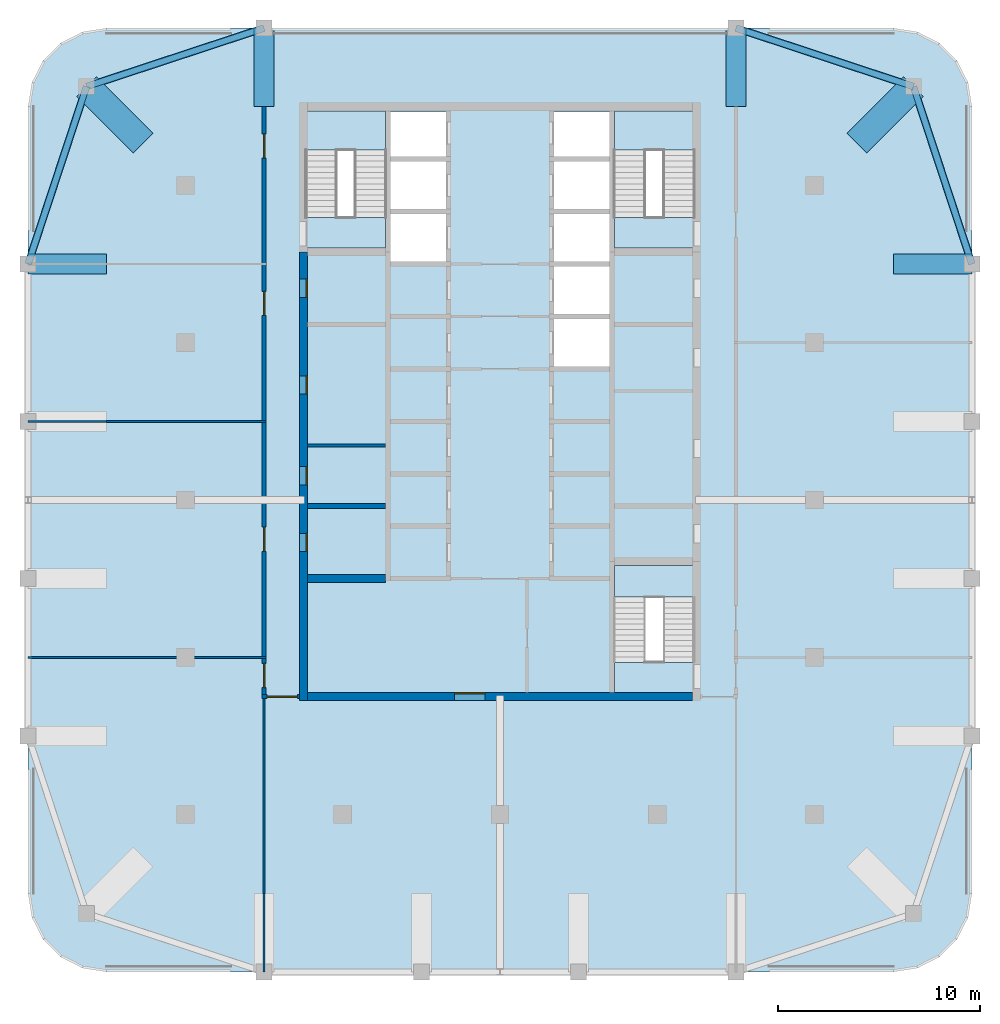
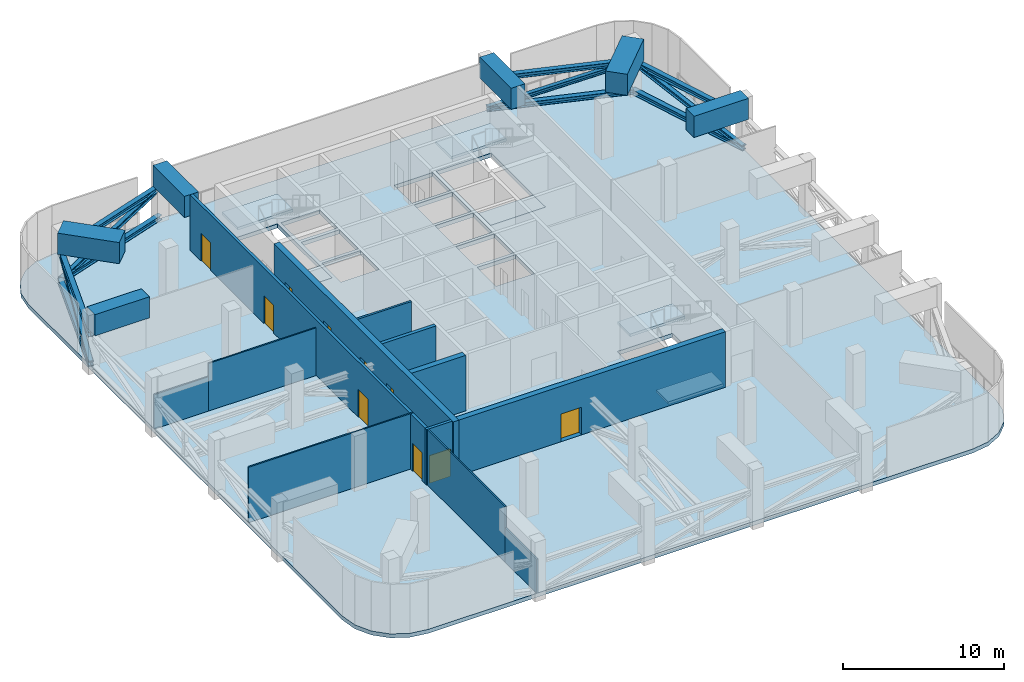
# One storey, part 5 of 13: 12 members, 12 walls, 10 doors, 7 slabs, 6 beams, 10 openings, 3 elements without a shape of their own.
"""IFC4 building model written with IfcOpenShell, lengths in metres."""

from ifc_helpers import new_model, si_unit, direction, frame, frame_2d, origin, origin_2d, place, context, subcontext, project, spatial, polyline, rectangle, i_section, outline, extrude, material, layer, layer_set, material_profile, profile_set, type_object, element, fill, aggregate, save


model = new_model("IFC4")

# Units and contexts
model_context = context("Model", 3, precision=1e-05, world=origin(), true_north=direction((0.0, 1.0)))
body_context = subcontext(model_context, "Body", "Model", "MODEL_VIEW")
ifc_project = project(units=[si_unit("LENGTHUNIT", "METRE"), si_unit("AREAUNIT", "SQUARE_METRE"), si_unit("VOLUMEUNIT", "CUBIC_METRE"), si_unit("PLANEANGLEUNIT", "RADIAN"), si_unit("MASSUNIT", "GRAM", prefix="KILO")], contexts=[model_context])

# Site, building, storey
site_placement = place(None, origin())
site = spatial("IfcSite", under=ifc_project, at=site_placement, CompositionType="ELEMENT")
building_placement = place(site_placement, origin())
building = spatial("IfcBuilding", under=site, at=building_placement, Name="Ludao Terraces", CompositionType="ELEMENT")
storey_placement = place(building_placement, frame((0.0, 0.0, 241.5)))
storey = spatial("IfcBuildingStorey", under=building, at=storey_placement, Name="L66", CompositionType="ELEMENT", Elevation=241.5)

# Members
ifc_material_1 = material(Name="Steel Q355", Category="steel")
ifc_material_profile_1 = material_profile(ifc_material_1, i_section(OverallWidth=0.35009765625, OverallDepth=0.35009765625, WebThickness=0.011962890625, FlangeThickness=0.01904296875, at=origin_2d()), Name="HW 350X350X12X19")
ifc_profile_set_1 = profile_set([ifc_material_profile_1], Name="Steel Q355")
member_type_1 = type_object("IfcMemberType", Name="Belt truss chord HW 350x350x12x19 Q355", PredefinedType="CHORD", material=ifc_profile_set_1)
for number, where, z_axis, x_axis, name in (
    (1, (64.5, 85.5, 2.425048828125), (0.949760691408, 0.312977042379, 0.0), (-0.312977042379, 0.949760691408, 0.0), "Truss chord L66 BT6T1"),
    (2, (64.5, 85.5, 0.175048828125), (0.949760691408, 0.312977042379, 0.0), (-0.312977042379, 0.949760691408, 0.0), "Truss chord L66 BT6B1"),
    (3, (96.699951171875, 88.39990234375, 2.425048828125), (0.949760691408, -0.312977042379, 0.0), (0.312977042379, 0.949760691408, 0.0), "Truss chord L66 BT7T1"),
    (4, (96.699951171875, 88.39990234375, 0.175048828125), (0.949760691408, -0.312977042379, 0.0), (0.312977042379, 0.949760691408, 0.0), "Truss chord L66 BT7B1"),
    (5, (61.60009765625, 76.699951171875, 2.425048828125), (0.312977042379, 0.949760691408, 0.0), (-0.949760691408, 0.312977042379, 0.0), "Truss chord L66 BT12T1"),
    (6, (61.60009765625, 76.699951171875, 0.175048828125), (0.312977042379, 0.949760691408, 0.0), (-0.949760691408, 0.312977042379, 0.0), "Truss chord L66 BT12B1"),
    (7, (108.39990234375, 76.699951171875, 2.425048828125), (-0.312977042379, 0.949760691408, 0.0), (-0.949760691408, -0.312977042379, 0.0), "Truss chord L66 BT17T1"),
    (8, (108.39990234375, 76.699951171875, 0.175048828125), (-0.312977042379, 0.949760691408, 0.0), (-0.949760691408, -0.312977042379, 0.0), "Truss chord L66 BT17B1"),
):
    element("IfcMember", number, at=place(storey_placement, frame(where, z_axis=z_axis, x_axis=x_axis)), inside=storey, type_object=member_type_1, Name=name, PredefinedType="CHORD", context=body_context, shape_type="SweptSolid", body=[
        extrude(i_section(OverallWidth=0.35009765625, OverallDepth=0.35009765625, WebThickness=0.011962890625, FlangeThickness=0.01904296875, at=origin_2d()), origin(), (0.0, 0.0, 1.0), 9.265625),
    ])
ifc_material_profile_2 = material_profile(ifc_material_1, i_section(OverallWidth=0.300048828125, OverallDepth=0.300048828125, WebThickness=0.010009765625, FlangeThickness=0.014892578125, at=origin_2d()), Name="HW 300X300X10X15")
ifc_profile_set_2 = profile_set([ifc_material_profile_2], Name="Steel Q355")
member_type_2 = type_object("IfcMemberType", Name="Belt truss diagonal HW 300x300x10x15 Q355", PredefinedType="BRACE", material=ifc_profile_set_2)
for number, where, z_axis, x_axis, name in (
    (9, (64.5, 85.5, 0.175048828125), (0.922938115412, 0.304138131082, 0.235977186063), (-0.312977042379, 0.949760691408, 0.0), "Truss diagonal L66 BT61"),
    (10, (96.699951171875, 88.39990234375, 0.175048828125), (0.922938115412, -0.304138131082, 0.235977186063), (0.312977042379, 0.949760691408, 0.0), "Truss diagonal L66 BT71"),
    (11, (61.60009765625, 76.699951171875, 0.175048828125), (0.304138131082, 0.922938115412, 0.235977186063), (-0.949760691408, 0.312977042379, 0.0), "Truss diagonal L66 BT121"),
    (12, (108.39990234375, 76.699951171875, 0.175048828125), (-0.304138131082, 0.922938115412, 0.235977186063), (-0.949760691408, -0.312977042379, 0.0), "Truss diagonal L66 BT171"),
):
    element("IfcMember", number, at=place(storey_placement, frame(where, z_axis=z_axis, x_axis=x_axis)), inside=storey, type_object=member_type_2, Name=name, PredefinedType="BRACE", context=body_context, shape_type="SweptSolid", body=[
        extrude(i_section(OverallWidth=0.300048828125, OverallDepth=0.300048828125, WebThickness=0.010009765625, FlangeThickness=0.014892578125, at=origin_2d()), origin(), (0.0, 0.0, 1.0), 9.534912109375),
    ])

# Beams
ifc_material_2 = material(Name="Concrete C60", Category="concrete")
ifc_material_profile_3 = material_profile(ifc_material_2, rectangle(XDim=1.0, YDim=1.60009765625, at=origin_2d()), Name="1000 X 1600")
ifc_profile_set_3 = profile_set([ifc_material_profile_3], Name="Concrete C60")
beam_type_1 = type_object("IfcBeamType", Name="RC beam 1000x1600 C60", PredefinedType="BEAM", material=ifc_profile_set_3)
for number, where, z_axis, x_axis, name in (
    (13, (61.60009765625, 76.699951171875, 3.39990234375), (1.0, 0.0, 0.0), (0.0, 1.0, 0.0), "Transfer girder L66 corbel 4"),
    (14, (73.300048828125, 88.39990234375, 3.39990234375), (0.0, -1.0, 0.0), (1.0, 0.0, 0.0), "Transfer girder L66 corbel 6"),
    (15, (96.699951171875, 88.39990234375, 3.39990234375), (0.0, -1.0, 0.0), (1.0, 0.0, 0.0), "Transfer girder L66 corbel 10"),
    (16, (108.39990234375, 76.699951171875, 3.39990234375), (-1.0, 0.0, 0.0), (0.0, -1.0, 0.0), "Transfer girder L66 corbel 14"),
):
    element("IfcBeam", number, at=place(storey_placement, frame(where, z_axis=z_axis, x_axis=x_axis)), inside=storey, type_object=beam_type_1, Name=name, PredefinedType="BEAM", context=body_context, shape_type="SweptSolid", body=[
        extrude(rectangle(XDim=1.0, YDim=1.60009765625, at=origin_2d()), origin(), (0.0, 0.0, 1.0), 3.89990234375),
    ])
ifc_material_profile_4 = material_profile(ifc_material_2, rectangle(XDim=1.39990234375, YDim=1.60009765625, at=origin_2d()), Name="1400 X 1600")
ifc_profile_set_4 = profile_set([ifc_material_profile_4], Name="Concrete C60")
beam_type_2 = type_object("IfcBeamType", Name="RC beam 1400x1600 C60", PredefinedType="BEAM", material=ifc_profile_set_4)
for number, where, z_axis, x_axis, name in (
    (17, (64.5, 85.5, 3.39990234375), (0.707106781187, -0.707106781187, 0.0), (0.707106781187, 0.707106781187, 0.0), "Transfer girder L66 corner NW"),
    (18, (105.5, 85.5, 3.39990234375), (-0.707106781187, -0.707106781187, 0.0), (0.707106781187, -0.707106781187, 0.0), "Transfer girder L66 corner NE"),
):
    element("IfcBeam", number, at=place(storey_placement, frame(where, z_axis=z_axis, x_axis=x_axis)), inside=storey, type_object=beam_type_2, Name=name, PredefinedType="BEAM", context=body_context, shape_type="SweptSolid", body=[
        extrude(rectangle(XDim=1.39990234375, YDim=1.60009765625, at=origin_2d()), origin(), (0.0, 0.0, 1.0), 3.9599609375),
    ])

# Slab
ifc_material_3 = material(Name="Concrete C40", Category="concrete")
ifc_layer_1 = layer(ifc_material_3, 0.300048828125)
ifc_layer_set_1 = layer_set([ifc_layer_1], Name="Floor slab 300 C40")
slab_type_1 = type_object("IfcSlabType", Name="Floor slab 300 C40", PredefinedType="FLOOR", material=ifc_layer_set_1)
slab_1_placement = place(storey_placement, frame((0.0, 0.0, -0.300048828125)))
element("IfcSlab", 19, at=slab_1_placement, inside=storey, type_object=slab_type_1, Name="Slab L66", PredefinedType="FLOOR", context=body_context, shape_type="SweptSolid", body=[
    extrude(outline(polyline([(104.5, 41.60009765625), (105.705078125, 41.790771484375), (106.79248046875, 42.3447265625), (107.6552734375, 43.20751953125), (108.209228515625, 44.294921875), (108.39990234375, 45.5), (108.39990234375, 84.5), (108.209228515625, 85.705078125), (107.6552734375, 86.79248046875), (106.79248046875, 87.6552734375), (105.705078125, 88.209228515625), (104.5, 88.39990234375), (65.5, 88.39990234375), (64.294921875, 88.209228515625), (63.20751953125, 87.6552734375), (62.3447265625, 86.79248046875), (61.790771484375, 85.705078125), (61.60009765625, 84.5), (61.60009765625, 45.5), (61.790771484375, 44.294921875), (62.3447265625, 43.20751953125), (63.20751953125, 42.3447265625), (64.294921875, 41.790771484375), (65.5, 41.60009765625), (104.5, 41.60009765625)]), holes=[polyline([(79.574951171875, 76.824951171875), (82.324951171875, 76.824951171875), (82.324951171875, 79.175048828125), (79.574951171875, 79.175048828125), (79.574951171875, 76.824951171875)]), polyline([(79.574951171875, 79.425048828125), (82.324951171875, 79.425048828125), (82.324951171875, 81.77490234375), (79.574951171875, 81.77490234375), (79.574951171875, 79.425048828125)]), polyline([(79.574951171875, 82.02490234375), (82.324951171875, 82.02490234375), (82.324951171875, 84.239990234375), (79.574951171875, 84.239990234375), (79.574951171875, 82.02490234375)]), polyline([(87.675048828125, 71.625), (90.425048828125, 71.625), (90.425048828125, 73.97509765625), (87.675048828125, 73.97509765625), (87.675048828125, 71.625)]), polyline([(87.675048828125, 74.22509765625), (90.425048828125, 74.22509765625), (90.425048828125, 76.574951171875), (87.675048828125, 76.574951171875), (87.675048828125, 74.22509765625)]), polyline([(87.675048828125, 76.824951171875), (90.425048828125, 76.824951171875), (90.425048828125, 79.175048828125), (87.675048828125, 79.175048828125), (87.675048828125, 76.824951171875)]), polyline([(87.675048828125, 79.425048828125), (90.425048828125, 79.425048828125), (90.425048828125, 81.77490234375), (87.675048828125, 81.77490234375), (87.675048828125, 79.425048828125)]), polyline([(87.675048828125, 82.02490234375), (90.425048828125, 82.02490234375), (90.425048828125, 84.239990234375), (87.675048828125, 84.239990234375), (87.675048828125, 82.02490234375)]), polyline([(75.375, 77.5), (79.324951171875, 77.5), (79.324951171875, 84.239990234375), (75.375, 84.239990234375), (75.375, 77.5)]), polyline([(90.675048828125, 77.5), (94.625, 77.5), (94.625, 84.239990234375), (90.675048828125, 84.239990234375), (90.675048828125, 77.5)]), polyline([(90.675048828125, 55.449951171875), (94.625, 55.449951171875), (94.625, 61.75), (90.675048828125, 61.75), (90.675048828125, 55.449951171875)])]), origin(), (0.0, 0.0, 1.0), 0.300048828125),
])

# Stair, slabs
stair_type = type_object("IfcStairType", Name="INT Stair", PredefinedType="HALF_TURN_STAIR", material=ifc_material_3)
stair_1_placement = place(storey_placement, origin())
stair_1 = element("IfcStair", 20, at=stair_1_placement, inside=storey, type_object=stair_type, Name="EXIT STAIR 1", PredefinedType="HALF_TURN_STAIR")
ifc_layer_2 = layer(ifc_material_3, 0.199951171875)
ifc_layer_set_2 = layer_set([ifc_layer_2], Name="INT Stair landing 200")
slab_type_2 = type_object("IfcSlabType", Name="INT Stair landing 200", PredefinedType="LANDING", material=ifc_layer_set_2)
slab_2_placement = place(storey_placement, frame((0.0, 0.0, 2.050048828125)))
slab_2 = element("IfcSlab", 21, at=slab_2_placement, type_object=slab_type_2, Name="ST1 landing 1", PredefinedType="LANDING", context=body_context, shape_type="SweptSolid", body=[
    extrude(outline(polyline([(75.375, 82.360107421875), (79.324951171875, 82.360107421875), (79.324951171875, 84.300048828125), (75.375, 84.300048828125), (75.375, 82.360107421875)])), origin(), (0.0, 0.0, 1.0), 0.199951171875),
])
slab_3_placement = place(storey_placement, frame((0.0, 0.0, -0.199951171875)))
slab_3 = element("IfcSlab", 22, at=slab_3_placement, type_object=slab_type_2, Name="ST1 landing 2", PredefinedType="LANDING", context=body_context, shape_type="SweptSolid", body=[
    extrude(outline(polyline([(75.375, 77.5), (79.324951171875, 77.5), (79.324951171875, 79.0), (75.375, 79.0), (75.375, 77.5)])), origin(), (0.0, 0.0, 1.0), 0.199951171875),
])
aggregate(stair_1, [slab_2, slab_3])

stair_2_placement = place(storey_placement, origin())
stair_2 = element("IfcStair", 23, at=stair_2_placement, inside=storey, type_object=stair_type, Name="EXIT STAIR 2", PredefinedType="HALF_TURN_STAIR")
slab_4_placement = place(storey_placement, frame((0.0, 0.0, 2.050048828125)))
slab_4 = element("IfcSlab", 24, at=slab_4_placement, type_object=slab_type_2, Name="ST2 landing 1", PredefinedType="LANDING", context=body_context, shape_type="SweptSolid", body=[
    extrude(outline(polyline([(90.675048828125, 82.360107421875), (94.625, 82.360107421875), (94.625, 84.300048828125), (90.675048828125, 84.300048828125), (90.675048828125, 82.360107421875)])), origin(), (0.0, 0.0, 1.0), 0.199951171875),
])
slab_5_placement = place(storey_placement, frame((0.0, 0.0, -0.199951171875)))
slab_5 = element("IfcSlab", 25, at=slab_5_placement, type_object=slab_type_2, Name="ST2 landing 2", PredefinedType="LANDING", context=body_context, shape_type="SweptSolid", body=[
    extrude(outline(polyline([(90.675048828125, 77.5), (94.625, 77.5), (94.625, 79.0), (90.675048828125, 79.0), (90.675048828125, 77.5)])), origin(), (0.0, 0.0, 1.0), 0.199951171875),
])
aggregate(stair_2, [slab_4, slab_5])

stair_3_placement = place(storey_placement, origin())
stair_3 = element("IfcStair", 26, at=stair_3_placement, inside=storey, type_object=stair_type, Name="EXIT STAIR 3", PredefinedType="HALF_TURN_STAIR")
slab_6_placement = place(storey_placement, frame((0.0, 0.0, 2.050048828125)))
slab_6 = element("IfcSlab", 27, at=slab_6_placement, type_object=slab_type_2, Name="ST3 landing 1", PredefinedType="LANDING", context=body_context, shape_type="SweptSolid", body=[
    extrude(outline(polyline([(90.675048828125, 60.18994140625), (94.625, 60.18994140625), (94.625, 61.75), (90.675048828125, 61.75), (90.675048828125, 60.18994140625)])), origin(), (0.0, 0.0, 1.0), 0.199951171875),
])
slab_7_placement = place(storey_placement, frame((0.0, 0.0, -0.199951171875)))
slab_7 = element("IfcSlab", 28, at=slab_7_placement, type_object=slab_type_2, Name="ST3 landing 2", PredefinedType="LANDING", context=body_context, shape_type="SweptSolid", body=[
    extrude(outline(polyline([(90.675048828125, 55.449951171875), (94.625, 55.449951171875), (94.625, 56.949951171875), (90.675048828125, 56.949951171875), (90.675048828125, 55.449951171875)])), origin(), (0.0, 0.0, 1.0), 0.199951171875),
])
aggregate(stair_3, [slab_6, slab_7])

# Wall, openings, doors
ifc_material_4 = material(Name="Concrete C50", Category="concrete")
ifc_layer_3 = layer(ifc_material_4, 0.39990234375)
ifc_layer_set_3 = layer_set([ifc_layer_3], Name="Core wall 400 C50")
wall_type_1 = type_object("IfcWallType", Name="Core wall 400 C50", PredefinedType="SOLIDWALL", material=ifc_layer_set_3)
wall_1_placement = place(storey_placement, frame((75.25, 55.050048828125, -0.300048828125), z_axis=(0.0, 0.0, 1.0), x_axis=(0.0, 1.0, 0.0)))
wall_1 = element("IfcWall", 29, at=wall_1_placement, inside=storey, type_object=wall_type_1, Name="Core wall L66 outer-W", PredefinedType="SOLIDWALL", context=body_context, shape_type="SweptSolid", body=[
    extrude(rectangle(XDim=22.25, YDim=0.39990234375, at=frame_2d((11.125, 0.0))), origin(), (0.0, 0.0, 1.0), 4.5),
])
opening_1_placement = place(wall_1_placement, frame((7.39990234375, 0.0, 0.300048828125)))
opening_1 = element("IfcOpeningElement", 30, at=opening_1_placement, cuts=wall_1, Name="Opening L66-012", PredefinedType="OPENING", context=body_context, shape_type="SweptSolid", body=[
    extrude(rectangle(XDim=0.89990234375, YDim=2.10009765625, at=frame_2d((0.449951171875, 1.050048828125))), frame((0.0, 0.2099609375, 0.0), z_axis=(0.0, -1.0, 0.0), x_axis=(1.0, 0.0, 0.0)), (0.0, 0.0, 1.0), 0.419921875),
])
opening_2_placement = place(wall_1_placement, frame((10.699951171875, 0.0, 0.300048828125)))
opening_2 = element("IfcOpeningElement", 31, at=opening_2_placement, cuts=wall_1, Name="Opening L66-017", PredefinedType="OPENING", context=body_context, shape_type="SweptSolid", body=[
    extrude(rectangle(XDim=0.89990234375, YDim=2.10009765625, at=frame_2d((0.449951171875, 1.050048828125))), frame((0.0, 0.2099609375, 0.0), z_axis=(0.0, -1.0, 0.0), x_axis=(1.0, 0.0, 0.0)), (0.0, 0.0, 1.0), 0.419921875),
])
opening_3_placement = place(wall_1_placement, frame((15.199951171875, 0.0, 0.300048828125)))
opening_3 = element("IfcOpeningElement", 32, at=opening_3_placement, cuts=wall_1, Name="Opening L66-023", PredefinedType="OPENING", context=body_context, shape_type="SweptSolid", body=[
    extrude(rectangle(XDim=0.89990234375, YDim=2.10009765625, at=frame_2d((0.449951171875, 1.050048828125))), frame((0.0, 0.2099609375, 0.0), z_axis=(0.0, -1.0, 0.0), x_axis=(1.0, 0.0, 0.0)), (0.0, 0.0, 1.0), 0.419921875),
])
opening_4_placement = place(wall_1_placement, frame((20.0, 0.0, 0.300048828125)))
opening_4 = element("IfcOpeningElement", 33, at=opening_4_placement, cuts=wall_1, Name="Opening L66-032", PredefinedType="OPENING", context=body_context, shape_type="SweptSolid", body=[
    extrude(rectangle(XDim=0.89990234375, YDim=2.10009765625, at=frame_2d((0.449951171875, 1.050048828125))), frame((0.0, 0.2099609375, 0.0), z_axis=(0.0, -1.0, 0.0), x_axis=(1.0, 0.0, 0.0)), (0.0, 0.0, 1.0), 0.419921875),
])
ifc_material_5 = material(Name="Steel Q235", Category="steel")
door_type_1 = type_object("IfcDoorType", Name="INT Riser door 900", OperationType="SINGLE_SWING_LEFT", PredefinedType="DOOR", material=ifc_material_5)
door_1_placement = place(opening_1_placement, origin())
door_1 = element("IfcDoor", 34, at=door_1_placement, inside=storey, type_object=door_type_1, Name="DOOR 012", OperationType="SINGLE_SWING_RIGHT", OverallHeight=2.10009765625, OverallWidth=0.89990234375, PredefinedType="DOOR", context=body_context, shape_type="SweptSolid", body=[
    extrude(rectangle(XDim=0.89990234375, YDim=2.10009765625, at=frame_2d((0.449951171875, 1.050048828125))), frame((0.0, -0.134765625, 0.0), z_axis=(0.0, -1.0, 0.0), x_axis=(1.0, 0.0, 0.0)), (0.0, 0.0, 1.0), 0.050048828125),
])
fill(opening_1, door_1)
door_2_placement = place(opening_4_placement, origin())
door_2 = element("IfcDoor", 35, at=door_2_placement, inside=storey, type_object=door_type_1, Name="DOOR 032", OperationType="SINGLE_SWING_LEFT", OverallHeight=2.10009765625, OverallWidth=0.89990234375, PredefinedType="DOOR", context=body_context, shape_type="SweptSolid", body=[
    extrude(rectangle(XDim=0.89990234375, YDim=2.10009765625, at=frame_2d((0.449951171875, 1.050048828125))), frame((0.0, -0.134765625, 0.0), z_axis=(0.0, -1.0, 0.0), x_axis=(1.0, 0.0, 0.0)), (0.0, 0.0, 1.0), 0.050048828125),
])
fill(opening_4, door_2)
ifc_material_6 = material(Name="Timber door leaf", Category="wood")
door_type_2 = type_object("IfcDoorType", Name="INT Room door 900", OperationType="SINGLE_SWING_LEFT", PredefinedType="DOOR", material=ifc_material_6)
door_3_placement = place(opening_2_placement, origin())
door_3 = element("IfcDoor", 36, at=door_3_placement, inside=storey, type_object=door_type_2, Name="DOOR 017", OperationType="SINGLE_SWING_RIGHT", OverallHeight=2.10009765625, OverallWidth=0.89990234375, PredefinedType="DOOR", context=body_context, shape_type="SweptSolid", body=[
    extrude(rectangle(XDim=0.89990234375, YDim=2.10009765625, at=frame_2d((0.449951171875, 1.050048828125))), frame((0.0, -0.134765625, 0.0), z_axis=(0.0, -1.0, 0.0), x_axis=(1.0, 0.0, 0.0)), (0.0, 0.0, 1.0), 0.050048828125),
])
fill(opening_2, door_3)
door_4_placement = place(opening_3_placement, origin())
door_4 = element("IfcDoor", 37, at=door_4_placement, inside=storey, type_object=door_type_2, Name="DOOR 023", OperationType="SINGLE_SWING_RIGHT", OverallHeight=2.10009765625, OverallWidth=0.89990234375, PredefinedType="DOOR", context=body_context, shape_type="SweptSolid", body=[
    extrude(rectangle(XDim=0.89990234375, YDim=2.10009765625, at=frame_2d((0.449951171875, 1.050048828125))), frame((0.0, -0.134765625, 0.0), z_axis=(0.0, -1.0, 0.0), x_axis=(1.0, 0.0, 0.0)), (0.0, 0.0, 1.0), 0.050048828125),
])
fill(opening_3, door_4)

# Wall, opening, door
wall_2_placement = place(storey_placement, frame((75.449951171875, 55.25, -0.300048828125), z_axis=(0.0, 0.0, 1.0), x_axis=(1.0, 0.0, 0.0)))
wall_2 = element("IfcWall", 38, at=wall_2_placement, inside=storey, type_object=wall_type_1, Name="Core wall L66 outer-S", PredefinedType="SOLIDWALL", context=body_context, shape_type="SweptSolid", body=[
    extrude(rectangle(XDim=19.10009765625, YDim=0.39990234375, at=frame_2d((9.550048828125, 0.0))), origin(), (0.0, 0.0, 1.0), 4.5),
])
opening_5_placement = place(wall_2_placement, frame((7.300048828125, 0.0, 0.300048828125)))
opening_5 = element("IfcOpeningElement", 39, at=opening_5_placement, cuts=wall_2, Name="Opening L66-002", PredefinedType="OPENING", context=body_context, shape_type="SweptSolid", body=[
    extrude(rectangle(XDim=1.5, YDim=2.10009765625, at=frame_2d((0.75, 1.050048828125))), frame((0.0, 0.2099609375, 0.0), z_axis=(0.0, -1.0, 0.0), x_axis=(1.0, 0.0, 0.0)), (0.0, 0.0, 1.0), 0.419921875),
])
door_type_3 = type_object("IfcDoorType", Name="INT Lobby door 1500", OperationType="DOUBLE_DOOR_SINGLE_SWING", PredefinedType="DOOR", material=ifc_material_5)
door_5_placement = place(opening_5_placement, origin())
door_5 = element("IfcDoor", 40, at=door_5_placement, inside=storey, type_object=door_type_3, Name="DOOR 002", OperationType="DOUBLE_DOOR_SINGLE_SWING", OverallHeight=2.10009765625, OverallWidth=1.5, PredefinedType="DOOR", context=body_context, shape_type="SweptSolid", body=[
    extrude(rectangle(XDim=1.5, YDim=2.10009765625, at=frame_2d((0.75, 1.050048828125))), frame((0.0, 0.18505859375, 0.0), z_axis=(0.0, -1.0, 0.0), x_axis=(1.0, 0.0, 0.0)), (0.0, 0.0, 1.0), 0.050048828125),
])
fill(opening_5, door_5)

# Wall
ifc_material_7 = material(Name="Fire-rated gypsum plasterboard", Category="gypsum")
ifc_layer_4 = layer(ifc_material_7, 0.012451171875, Category="gypsum")
ifc_material_8 = material(Name="Mineral wool")
ifc_layer_5 = layer(ifc_material_8, 0.10009765625, Name="insulation")
ifc_layer_6 = layer(ifc_material_5, 0.02490234375, Name="stud")
ifc_layer_7 = layer(ifc_material_7, 0.012451171875, Category="gypsum")
ifc_layer_set_4 = layer_set([ifc_layer_4, ifc_layer_5, ifc_layer_6, ifc_layer_7], Name="INT Core partition 150")
wall_type_2 = type_object("IfcWallType", Name="INT Core partition 150", PredefinedType="PARTITIONING", material=ifc_layer_set_4)
wall_3_placement = place(storey_placement, frame((75.4501953125, 67.699951171875, 0.0), z_axis=(0.0, 0.0, 1.0), x_axis=(1.0, 0.0, 0.0)))
element("IfcWall", 41, at=wall_3_placement, inside=storey, type_object=wall_type_2, Name="PW-L66-PW005", PredefinedType="PARTITIONING", context=body_context, shape_type="SweptSolid", body=[
    extrude(rectangle(XDim=3.875, YDim=0.14990234375, at=frame_2d((1.9375, 0.0))), origin(), (0.0, 0.0, 1.0), 4.199951171875),
])

# Wall, opening, door
ifc_material_9 = material(Name="Autoclaved aerated concrete block B06 A3.5", Category="concrete")
ifc_layer_8 = layer(ifc_material_9, 0.199951171875)
ifc_layer_set_5 = layer_set([ifc_layer_8], Name="INT Entrance wall 200")
wall_type_3 = type_object("IfcWallType", Name="INT Entrance wall 200", PredefinedType="PARTITIONING", material=ifc_layer_set_5)
wall_4_placement = place(storey_placement, frame((73.2001953125, 55.25, 0.0), z_axis=(0.0, 0.0, 1.0), x_axis=(1.0, 0.0, 0.0)))
wall_4 = element("IfcWall", 42, at=wall_4_placement, inside=storey, type_object=wall_type_3, Name="PW-L66-PW000", PredefinedType="PARTITIONING", context=body_context, shape_type="SweptSolid", body=[
    extrude(rectangle(XDim=1.849853515625, YDim=0.199951171875, at=frame_2d((0.9248046875, 0.0))), origin(), (0.0, 0.0, 1.0), 4.199951171875),
])
opening_6_placement = place(wall_4_placement, frame((0.25, 0.0, 0.0)))
opening_6 = element("IfcOpeningElement", 43, at=opening_6_placement, cuts=wall_4, Name="Opening L66-001", PredefinedType="OPENING", context=body_context, shape_type="SweptSolid", body=[
    extrude(rectangle(XDim=1.5, YDim=2.10009765625, at=frame_2d((0.75, 1.050048828125))), frame((0.0, 0.10986328125, 0.0), z_axis=(0.0, -1.0, 0.0), x_axis=(1.0, 0.0, 0.0)), (0.0, 0.0, 1.0), 0.219970703125),
])
door_6_placement = place(opening_6_placement, origin())
door_6 = element("IfcDoor", 44, at=door_6_placement, inside=storey, type_object=door_type_3, Name="DOOR 001", OperationType="DOUBLE_DOOR_SINGLE_SWING", OverallHeight=2.10009765625, OverallWidth=1.5, PredefinedType="DOOR", context=body_context, shape_type="SweptSolid", body=[
    extrude(rectangle(XDim=1.5, YDim=2.10009765625, at=frame_2d((0.75, 1.050048828125))), frame((0.0, 0.02490234375, 0.0), z_axis=(0.0, -1.0, 0.0), x_axis=(1.0, 0.0, 0.0)), (0.0, 0.0, 1.0), 0.050048828125),
])
fill(opening_6, door_6)

# Wall, openings, doors
wall_5_placement = place(storey_placement, frame((73.300048828125, 55.35009765625, 0.0), z_axis=(0.0, 0.0, 1.0), x_axis=(0.0, 1.0, 0.0)))
wall_5 = element("IfcWall", 45, at=wall_5_placement, inside=storey, type_object=wall_type_3, Name="PW-L66-PW014", PredefinedType="PARTITIONING", context=body_context, shape_type="SweptSolid", body=[
    extrude(rectangle(XDim=29.14990234375, YDim=0.199951171875, at=frame_2d((14.574951171875, 0.0))), origin(), (0.0, 0.0, 1.0), 4.199951171875),
])
opening_7_placement = place(wall_5_placement, frame((0.35009765625, 0.0, 0.0)))
opening_7 = element("IfcOpeningElement", 46, at=opening_7_placement, cuts=wall_5, Name="Opening L66-005", PredefinedType="OPENING", context=body_context, shape_type="SweptSolid", body=[
    extrude(rectangle(XDim=1.199951171875, YDim=2.10009765625, at=frame_2d((0.60009765625, 1.050048828125))), frame((0.0, 0.10986328125, 0.0), z_axis=(0.0, -1.0, 0.0), x_axis=(1.0, 0.0, 0.0)), (0.0, 0.0, 1.0), 0.219970703125),
])
opening_8_placement = place(wall_5_placement, frame((7.10009765625, 0.0, 0.0)))
opening_8 = element("IfcOpeningElement", 47, at=opening_8_placement, cuts=wall_5, Name="Opening L66-013", PredefinedType="OPENING", context=body_context, shape_type="SweptSolid", body=[
    extrude(rectangle(XDim=1.199951171875, YDim=2.10009765625, at=frame_2d((0.60009765625, 1.050048828125))), frame((0.0, 0.10986328125, 0.0), z_axis=(0.0, -1.0, 0.0), x_axis=(1.0, 0.0, 0.0)), (0.0, 0.0, 1.0), 0.219970703125),
])
opening_9_placement = place(wall_5_placement, frame((18.800048828125, 0.0, 0.0)))
opening_9 = element("IfcOpeningElement", 48, at=opening_9_placement, cuts=wall_5, Name="Opening L66-029", PredefinedType="OPENING", context=body_context, shape_type="SweptSolid", body=[
    extrude(rectangle(XDim=1.199951171875, YDim=2.10009765625, at=frame_2d((0.60009765625, 1.050048828125))), frame((0.0, 0.10986328125, 0.0), z_axis=(0.0, -1.0, 0.0), x_axis=(1.0, 0.0, 0.0)), (0.0, 0.0, 1.0), 0.219970703125),
])
opening_10_placement = place(wall_5_placement, frame((26.60009765625, 0.0, 0.0)))
opening_10 = element("IfcOpeningElement", 49, at=opening_10_placement, cuts=wall_5, Name="Opening L66-042", PredefinedType="OPENING", context=body_context, shape_type="SweptSolid", body=[
    extrude(rectangle(XDim=1.199951171875, YDim=2.10009765625, at=frame_2d((0.60009765625, 1.050048828125))), frame((0.0, 0.10986328125, 0.0), z_axis=(0.0, -1.0, 0.0), x_axis=(1.0, 0.0, 0.0)), (0.0, 0.0, 1.0), 0.219970703125),
])
door_type_4 = type_object("IfcDoorType", Name="INT Double door 1200", OperationType="DOUBLE_DOOR_SINGLE_SWING", PredefinedType="DOOR", material=ifc_material_6)
door_7_placement = place(opening_7_placement, origin())
door_7 = element("IfcDoor", 50, at=door_7_placement, inside=storey, type_object=door_type_4, Name="DOOR 005", OperationType="DOUBLE_DOOR_SINGLE_SWING", OverallHeight=2.10009765625, OverallWidth=1.199951171875, PredefinedType="DOOR", context=body_context, shape_type="SweptSolid", body=[
    extrude(rectangle(XDim=1.199951171875, YDim=2.10009765625, at=frame_2d((0.60009765625, 1.050048828125))), frame((0.0, 0.02490234375, 0.0), z_axis=(0.0, -1.0, 0.0), x_axis=(1.0, 0.0, 0.0)), (0.0, 0.0, 1.0), 0.050048828125),
])
fill(opening_7, door_7)
door_8_placement = place(opening_8_placement, origin())
door_8 = element("IfcDoor", 51, at=door_8_placement, inside=storey, type_object=door_type_4, Name="DOOR 013", OperationType="DOUBLE_DOOR_SINGLE_SWING", OverallHeight=2.10009765625, OverallWidth=1.199951171875, PredefinedType="DOOR", context=body_context, shape_type="SweptSolid", body=[
    extrude(rectangle(XDim=1.199951171875, YDim=2.10009765625, at=frame_2d((0.60009765625, 1.050048828125))), frame((0.0, 0.02490234375, 0.0), z_axis=(0.0, -1.0, 0.0), x_axis=(1.0, 0.0, 0.0)), (0.0, 0.0, 1.0), 0.050048828125),
])
fill(opening_8, door_8)
door_9_placement = place(opening_9_placement, origin())
door_9 = element("IfcDoor", 52, at=door_9_placement, inside=storey, type_object=door_type_4, Name="DOOR 029", OperationType="DOUBLE_DOOR_SINGLE_SWING", OverallHeight=2.10009765625, OverallWidth=1.199951171875, PredefinedType="DOOR", context=body_context, shape_type="SweptSolid", body=[
    extrude(rectangle(XDim=1.199951171875, YDim=2.10009765625, at=frame_2d((0.60009765625, 1.050048828125))), frame((0.0, 0.02490234375, 0.0), z_axis=(0.0, -1.0, 0.0), x_axis=(1.0, 0.0, 0.0)), (0.0, 0.0, 1.0), 0.050048828125),
])
fill(opening_9, door_9)
door_10_placement = place(opening_10_placement, origin())
door_10 = element("IfcDoor", 53, at=door_10_placement, inside=storey, type_object=door_type_4, Name="DOOR 042", OperationType="DOUBLE_DOOR_SINGLE_SWING", OverallHeight=2.10009765625, OverallWidth=1.199951171875, PredefinedType="DOOR", context=body_context, shape_type="SweptSolid", body=[
    extrude(rectangle(XDim=1.199951171875, YDim=2.10009765625, at=frame_2d((0.60009765625, 1.050048828125))), frame((0.0, 0.02490234375, 0.0), z_axis=(0.0, -1.0, 0.0), x_axis=(1.0, 0.0, 0.0)), (0.0, 0.0, 1.0), 0.050048828125),
])
fill(opening_10, door_10)

# Walls
ifc_material_10 = material(Name="Gypsum plasterboard", Category="gypsum")
ifc_layer_9 = layer(ifc_material_10, 0.012451171875, Category="gypsum")
ifc_layer_10 = layer(ifc_material_8, 0.06005859375, Name="insulation")
ifc_layer_11 = layer(ifc_material_5, 0.014892578125, Name="stud")
ifc_layer_12 = layer(ifc_material_10, 0.012451171875, Category="gypsum")
ifc_layer_set_6 = layer_set([ifc_layer_9, ifc_layer_10, ifc_layer_11, ifc_layer_12], Name="INT Partition 100")
wall_type_4 = type_object("IfcWallType", Name="INT Partition 100", PredefinedType="PARTITIONING", material=ifc_layer_set_6)
wall_6_placement = place(storey_placement, frame((61.60009765625, 57.199951171875, 0.0), z_axis=(0.0, 0.0, 1.0), x_axis=(1.0, 0.0, 0.0)))
element("IfcWall", 54, at=wall_6_placement, inside=storey, type_object=wall_type_4, Name="PW-L66-PW002", PredefinedType="PARTITIONING", context=body_context, shape_type="SweptSolid", body=[
    extrude(rectangle(XDim=11.800048828125, YDim=0.10009765625, at=frame_2d((5.89990234375, 0.0))), origin(), (0.0, 0.0, 1.0), 4.199951171875),
])
wall_7_placement = place(storey_placement, frame((61.60009765625, 68.89990234375, 0.0), z_axis=(0.0, 0.0, 1.0), x_axis=(1.0, 0.0, 0.0)))
element("IfcWall", 55, at=wall_7_placement, inside=storey, type_object=wall_type_4, Name="PW-L66-PW006", PredefinedType="PARTITIONING", context=body_context, shape_type="SweptSolid", body=[
    extrude(rectangle(XDim=3.89990234375, YDim=0.10009765625, at=frame_2d((1.949951171875, 0.0))), origin(), (0.0, 0.0, 1.0), 2.599853515625),
])
wall_8_placement = place(storey_placement, frame((65.5, 68.89990234375, 0.0), z_axis=(0.0, 0.0, 1.0), x_axis=(1.0, 0.0, 0.0)))
element("IfcWall", 56, at=wall_8_placement, inside=storey, type_object=wall_type_4, Name="PW-L66-PW006-2", PredefinedType="PARTITIONING", context=body_context, shape_type="SweptSolid", body=[
    extrude(rectangle(XDim=7.900146484375, YDim=0.10009765625, at=frame_2d((3.9501953125, 0.0))), origin(), (0.0, 0.0, 1.0), 3.599853515625),
])
wall_9_placement = place(storey_placement, frame((73.300048828125, 41.60009765625, 0.0), z_axis=(0.0, 0.0, 1.0), x_axis=(0.0, 1.0, 0.0)))
element("IfcWall", 57, at=wall_9_placement, inside=storey, type_object=wall_type_4, Name="PW-L66-PW013", PredefinedType="PARTITIONING", context=body_context, shape_type="SweptSolid", body=[
    extrude(rectangle(XDim=3.89990234375, YDim=0.10009765625, at=frame_2d((1.949951171875, 0.0))), origin(), (0.0, 0.0, 1.0), 2.599853515625),
])
wall_10_placement = place(storey_placement, frame((73.300048828125, 45.5, 0.0), z_axis=(0.0, 0.0, 1.0), x_axis=(0.0, 1.0, 0.0)))
element("IfcWall", 58, at=wall_10_placement, inside=storey, type_object=wall_type_4, Name="PW-L66-PW013-2", PredefinedType="PARTITIONING", context=body_context, shape_type="SweptSolid", body=[
    extrude(rectangle(XDim=9.650146484375, YDim=0.10009765625, at=frame_2d((4.8251953125, 0.0))), origin(), (0.0, 0.0, 1.0), 4.199951171875),
])
ifc_layer_13 = layer(ifc_material_4, 0.25)
ifc_layer_set_7 = layer_set([ifc_layer_13], Name="Shaft wall 250 C50")
wall_type_5 = type_object("IfcWallType", Name="Shaft wall 250 C50", PredefinedType="SOLIDWALL", material=ifc_layer_set_7)
wall_11_placement = place(storey_placement, frame((75.449951171875, 64.699951171875, -0.300048828125), z_axis=(0.0, 0.0, 1.0), x_axis=(1.0, 0.0, 0.0)))
element("IfcWall", 59, at=wall_11_placement, inside=storey, type_object=wall_type_5, Name="Core wall L66 riser-a-W", PredefinedType="SOLIDWALL", context=body_context, shape_type="SweptSolid", body=[
    extrude(rectangle(XDim=3.875, YDim=0.25, at=frame_2d((1.9375, 0.0))), origin(), (0.0, 0.0, 1.0), 4.5),
])
ifc_layer_14 = layer(ifc_material_4, 0.39990234375)
ifc_layer_set_8 = layer_set([ifc_layer_14], Name="Shaft wall 400 C50")
wall_type_6 = type_object("IfcWallType", Name="Shaft wall 400 C50", PredefinedType="SOLIDWALL", material=ifc_layer_set_8)
wall_12_placement = place(storey_placement, frame((75.449951171875, 61.10009765625, -0.300048828125), z_axis=(0.0, 0.0, 1.0), x_axis=(1.0, 0.0, 0.0)))
element("IfcWall", 60, at=wall_12_placement, inside=storey, type_object=wall_type_6, Name="Core wall L66 hall-W", PredefinedType="SOLIDWALL", context=body_context, shape_type="SweptSolid", body=[
    extrude(rectangle(XDim=3.875, YDim=0.39990234375, at=frame_2d((1.9375, 0.0))), origin(), (0.0, 0.0, 1.0), 4.5),
])

save(model, "model.ifc")
